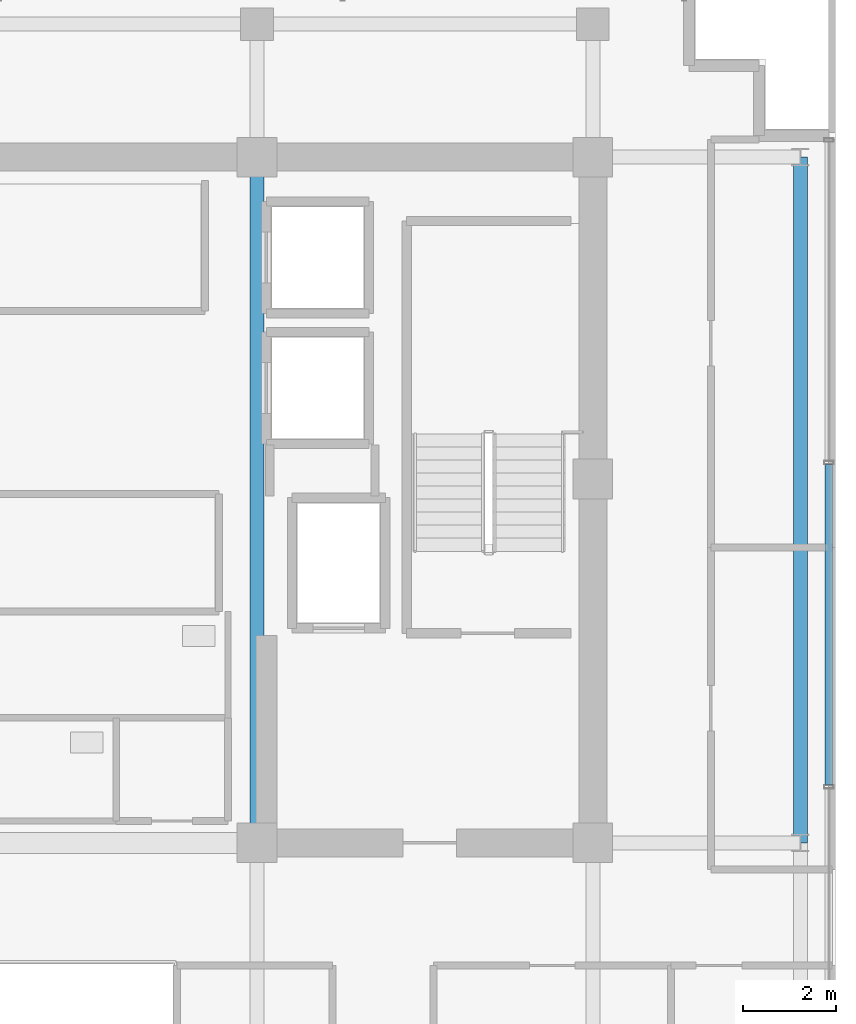
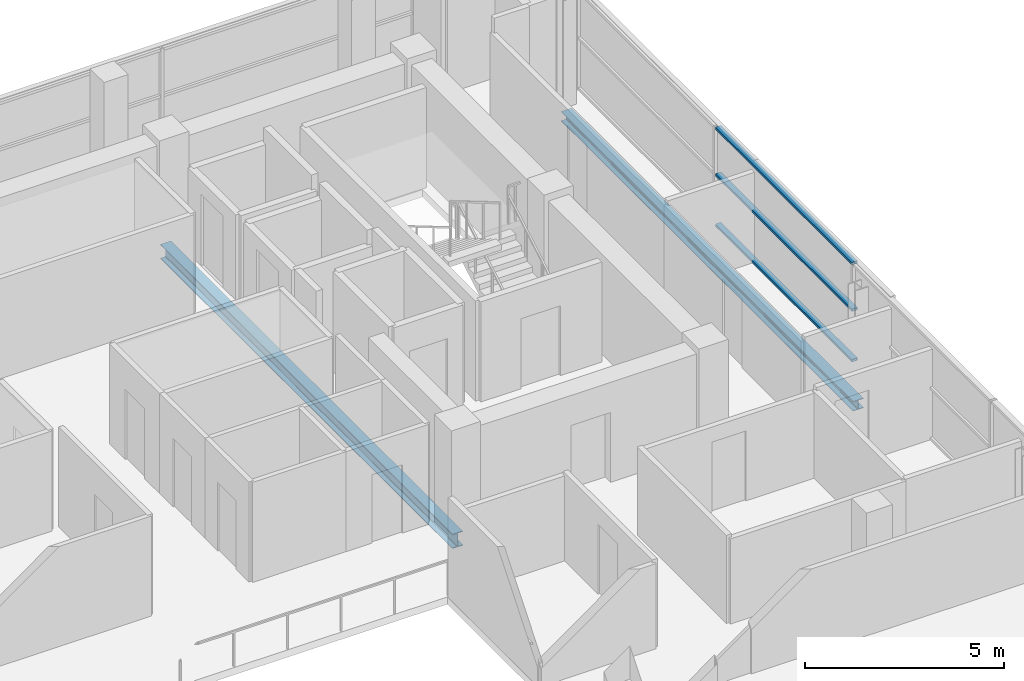
# One storey, part 9 of 22: 3 members, 2 beams, 1 element without a shape of its own.
"""IFC4 building model written with IfcOpenShell, lengths in metres."""

from ifc_helpers import new_model, si_unit, direction, frame, origin, origin_2d, place, context, subcontext, project, spatial, hollow_rectangle, i_section, extrude, source, transform, mapped, material, layer, layer_set, material_profile, profile_set, type_object, element, aggregate, save


model = new_model("IFC4")

# Units and contexts
model_context = context("Model", 3, precision=1e-05, world=origin(), true_north=direction((0.0, 1.0)))
body_context = subcontext(model_context, "Body", "Model", "MODEL_VIEW")
ifc_project = project(units=[si_unit("LENGTHUNIT", "METRE"), si_unit("AREAUNIT", "SQUARE_METRE"), si_unit("VOLUMEUNIT", "CUBIC_METRE"), si_unit("PLANEANGLEUNIT", "RADIAN"), si_unit("MASSUNIT", "GRAM", prefix="KILO")], contexts=[model_context])

# Site, building, storey
site_placement = place(None, origin())
site = spatial("IfcSite", under=ifc_project, at=site_placement, CompositionType="ELEMENT")
building_placement = place(site_placement, origin())
building = spatial("IfcBuilding", under=site, at=building_placement, Name="Zarnakvel Exchange Tower", CompositionType="ELEMENT")
storey_placement = place(building_placement, frame((0.0, 0.0, 215.5)))
storey = spatial("IfcBuildingStorey", under=building, at=storey_placement, Name="L60", CompositionType="ELEMENT", Elevation=215.5)

# Beams
ifc_material_1 = material(Name="Steel S355", Category="steel")
ifc_material_profile_1 = material_profile(ifc_material_1, i_section(OverallWidth=0.300048828125, OverallDepth=0.449951171875, WebThickness=0.013916015625, FlangeThickness=0.02587890625, FilletRadius=0.027099609375, at=origin_2d()))
ifc_profile_set_1 = profile_set([ifc_material_profile_1], Name="Steel S355")
beam_type_1 = type_object("IfcBeamType", Name="G-07", PredefinedType="BEAM", material=ifc_profile_set_1)
beam_1_placement = place(storey_placement, frame((7.199951171875, -1.199951171875, -0.449951171875), z_axis=(0.0, 1.0, 0.0), x_axis=(-1.0, 0.0, 0.0)))
element("IfcBeam", 1, at=beam_1_placement, inside=storey, type_object=beam_type_1, Name="L60 Tower N-S Frame Beam", PredefinedType="BEAM", context=body_context, shape_type="SweptSolid", body=[
    extrude(i_section(OverallWidth=0.300048828125, OverallDepth=0.449951171875, WebThickness=0.013916015625, FlangeThickness=0.02587890625, FilletRadius=0.027099609375, at=origin_2d()), origin(), (0.0, 0.0, 1.0), 14.699951171875),
])
ifc_material_profile_2 = material_profile(ifc_material_1, i_section(OverallWidth=0.300048828125, OverallDepth=0.300048828125, WebThickness=0.010986328125, FlangeThickness=0.01904296875, FilletRadius=0.027099609375, at=origin_2d()))
ifc_profile_set_2 = profile_set([ifc_material_profile_2], Name="Steel S355")
beam_type_2 = type_object("IfcBeamType", Name="SP-03", PredefinedType="SPANDREL", material=ifc_profile_set_2)
beam_2_placement = place(storey_placement, frame((18.85009765625, -1.199951171875, -0.375), z_axis=(0.0, 1.0, 0.0), x_axis=(-1.0, 0.0, 0.0)))
element("IfcBeam", 2, at=beam_2_placement, inside=storey, type_object=beam_type_2, Name="L60 Tower N-S Frame Beam", PredefinedType="SPANDREL", context=body_context, shape_type="SweptSolid", body=[
    extrude(i_section(OverallWidth=0.300048828125, OverallDepth=0.300048828125, WebThickness=0.010986328125, FlangeThickness=0.01904296875, FilletRadius=0.027099609375, at=origin_2d()), origin(), (0.0, 0.0, 1.0), 14.699951171875),
])

# Curtain wall, members
ifc_material_2 = material(Name="Architectural Bronze Anodised Aluminium", Category="aluminium")
ifc_layer = layer(ifc_material_2, 0.199951171875)
ifc_layer_set = layer_set([ifc_layer], Name="Architectural Bronze Anodised Aluminium")
curtain_wall_type = type_object("IfcCurtainWallType", Name="CW-04", PredefinedType="NOTDEFINED", material=ifc_layer_set)
curtain_wall_placement = place(storey_placement, origin())
curtain_wall = element("IfcCurtainWall", 3, at=curtain_wall_placement, inside=storey, type_object=curtain_wall_type, Name="L60 Curtain Wall CW-L60-E1 (CW-04)", PredefinedType="NOTDEFINED")
ifc_material_profile_3 = material_profile(ifc_material_2, hollow_rectangle(XDim=0.159912109375, YDim=0.074951171875, WallThickness=0.00390625, at=origin_2d()))
ifc_profile_set_3 = profile_set([ifc_material_profile_3], Name="Architectural Bronze Anodised Aluminium")
member_type = type_object("IfcMemberType", Name="CWT-04", PredefinedType="USERDEFINED", material=ifc_profile_set_3)
shared_shape = source(origin(), body_context, "Body", "SweptSolid", [
    extrude(hollow_rectangle(XDim=0.159912109375, YDim=0.074951171875, WallThickness=0.00390625, at=origin_2d()), origin(), (0.0, 0.0, 1.0), 6.875),
])
member_1_placement = place(storey_placement, frame((19.4599609375, 0.03759765625, 0.03759765625), z_axis=(0.0, 1.0, 0.0), x_axis=(-1.0, 0.0, 0.0)))
member_1 = element("IfcMember", 4, at=member_1_placement, type_object=member_type, Name="CW-04 transom 3.1", ObjectType="TRANSOM", PredefinedType="USERDEFINED", context=body_context, shape_type="MappedRepresentation", body=[
    mapped(shared_shape, transform((0.0, 0.0, 0.0), x_axis=(1.0, 0.0, 0.0), y_axis=(0.0, 1.0, 0.0), z_axis=(0.0, 0.0, 1.0), scale=1.0)),
])
member_2_placement = place(storey_placement, frame((19.4599609375, 0.03759765625, 1.588623046875), z_axis=(0.0, 1.0, 0.0), x_axis=(-1.0, 0.0, 0.0)))
member_2 = element("IfcMember", 5, at=member_2_placement, type_object=member_type, Name="CW-04 transom 3.2", ObjectType="TRANSOM", PredefinedType="USERDEFINED", context=body_context, shape_type="MappedRepresentation", body=[
    mapped(shared_shape, transform((0.0, 0.0, 0.0), x_axis=(1.0, 0.0, 0.0), y_axis=(0.0, 1.0, 0.0), z_axis=(0.0, 0.0, 1.0), scale=1.0)),
])
member_3_placement = place(storey_placement, frame((19.4599609375, 0.03759765625, 3.017578125), z_axis=(0.0, 1.0, 0.0), x_axis=(-1.0, 0.0, 0.0)))
member_3 = element("IfcMember", 6, at=member_3_placement, type_object=member_type, Name="CW-04 transom 3.3", ObjectType="TRANSOM", PredefinedType="USERDEFINED", context=body_context, shape_type="MappedRepresentation", body=[
    mapped(shared_shape, transform((0.0, 0.0, 0.0), x_axis=(1.0, 0.0, 0.0), y_axis=(0.0, 1.0, 0.0), z_axis=(0.0, 0.0, 1.0), scale=1.0)),
])
aggregate(curtain_wall, [member_1, member_2, member_3])

save(model, "model.ifc")
